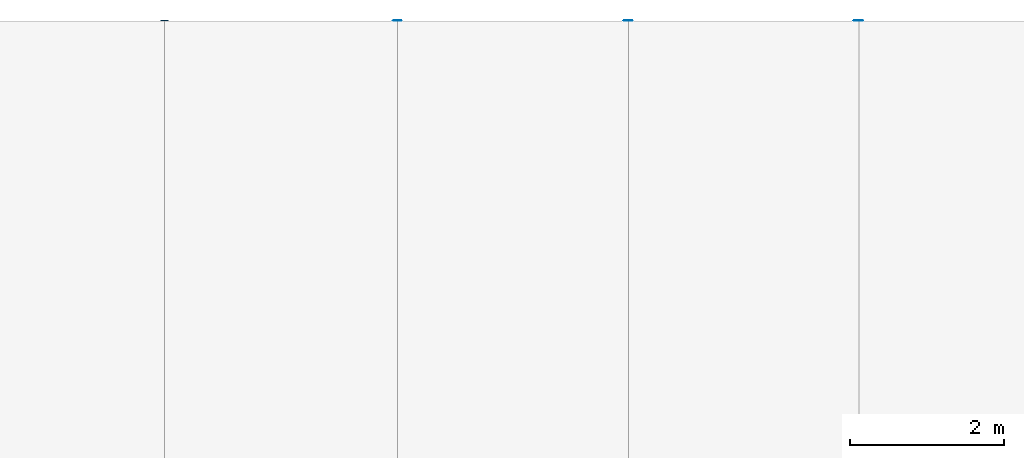
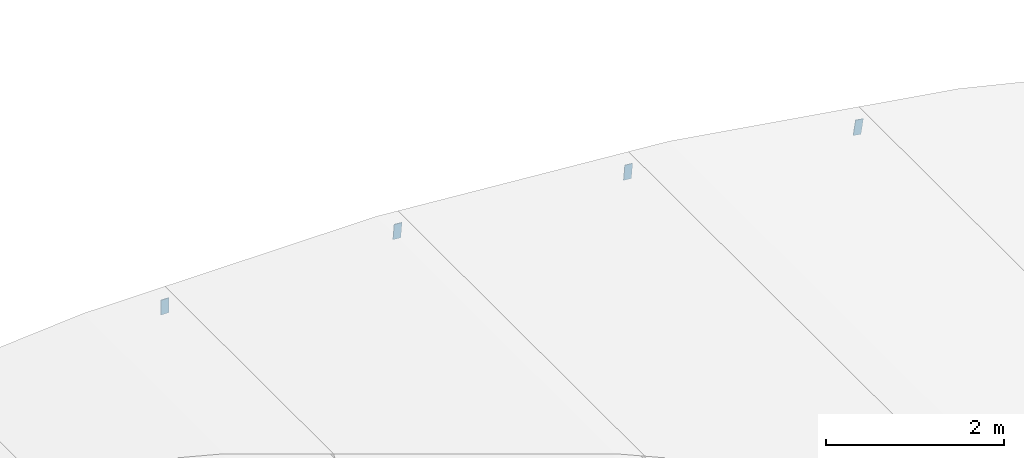
# One storey, part 5 of 13: 4 discrete accessories.
"""IFC4 building model written with IfcOpenShell, lengths in metres."""

from ifc_helpers import new_model, si_unit, direction, frame, origin, origin_2d, place, context, subcontext, project, spatial, rectangle, extrude, material, material_profile, profile_set, type_object, element, save


model = new_model("IFC4")

# Units and contexts
model_context = context("Model", 3, precision=1e-05, world=origin(), true_north=direction((0.0, 1.0)))
body_context = subcontext(model_context, "Body", "Model", "MODEL_VIEW")
ifc_project = project(units=[si_unit("LENGTHUNIT", "METRE"), si_unit("AREAUNIT", "SQUARE_METRE"), si_unit("VOLUMEUNIT", "CUBIC_METRE"), si_unit("PLANEANGLEUNIT", "RADIAN"), si_unit("MASSUNIT", "GRAM", prefix="KILO")], contexts=[model_context])

# Site, building, storey
site_placement = place(None, origin())
site = spatial("IfcSite", under=ifc_project, at=site_placement, CompositionType="ELEMENT")
building_placement = place(site_placement, origin())
building = spatial("IfcBuilding", under=site, at=building_placement, Name="Verrick Yard Athletic Hall", CompositionType="ELEMENT")
storey_placement = place(building_placement, frame((0.0, 0.0, 21.5)))
storey = spatial("IfcBuildingStorey", under=building, at=storey_placement, Name="Upper Roof", CompositionType="ELEMENT", Elevation=21.5)

# Discrete accessories
ifc_material = material(Name="Structural steel 350W (CSA G40.21)", Category="steel")
ifc_material_profile = material_profile(ifc_material, rectangle(XDim=0.1015625, YDim=0.203125, at=origin_2d()), Name="STR End cap plate 203x102x9.5")
ifc_profile_set = profile_set([ifc_material_profile], Name="Structural steel 350W (CSA G40.21)")
discrete_accessory_type = type_object("IfcDiscreteAccessoryType", Name="STR End cap plate 203x102x9.5", PredefinedType="BRACKET", material=ifc_profile_set)
for number, where, z_axis, x_axis, name in (
    (1, (60.153076171875, 108.0, 0.758544921875), (0.0, 1.0, 0.0), (-0.987728086354, 0.0, 0.156183313539), "End cap HB-PU-B-5-12 B"),
    (2, (51.15966796875, 108.0, 1.448974609375), (0.0, 1.0, 0.0), (-1.0, 0.0, 0.0), "End cap HB-PU-B-5-9 B"),
    (3, (57.16748046875, 108.0, 1.19140625), (0.0, 1.0, 0.0), (-0.996927304266, 0.0, 0.078332305011), "End cap HB-PU-B-5-11 B"),
    (4, (54.1767578125, 108.0, 1.42626953125), (0.0, 1.0, 0.0), (-0.996927304266, 0.0, 0.078332305011), "End cap HB-PU-B-5-10 B"),
):
    element("IfcDiscreteAccessory", number, at=place(storey_placement, frame(where, z_axis=z_axis, x_axis=x_axis)), inside=storey, type_object=discrete_accessory_type, Name=name, PredefinedType="BRACKET", context=body_context, shape_type="SweptSolid", body=[
        extrude(rectangle(XDim=0.1015625, YDim=0.203125, at=origin_2d()), origin(), (0.0, 0.0, 1.0), 0.010009765625),
    ])

save(model, "model.ifc")
